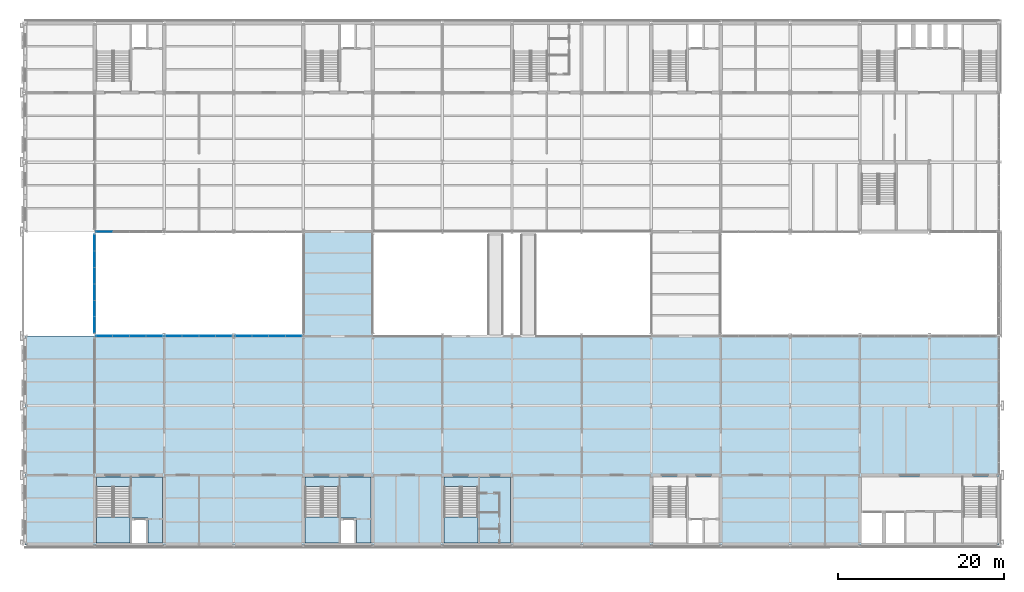
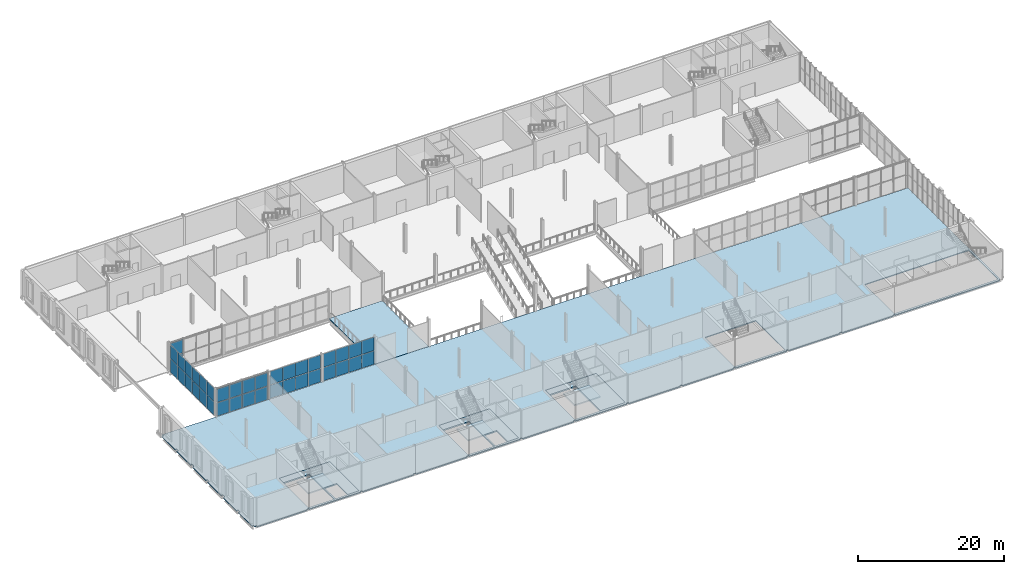
# One storey, part 31 of 61: 38 plates, 8 slabs, 8 elements without a shape of their own.
"""IFC4 building model written with IfcOpenShell, lengths in metres."""

from ifc_helpers import new_model, si_unit, direction, frame, origin, origin_2d, place, context, subcontext, project, spatial, polyline, rectangle, outline, extrude, material, layer, layer_set, type_object, element, aggregate, save


model = new_model("IFC4")

# Units and contexts
model_context = context("Model", 3, precision=1e-05, world=origin(), true_north=direction((0.0, 1.0)))
body_context = subcontext(model_context, "Body", "Model", "MODEL_VIEW")
ifc_project = project(units=[si_unit("LENGTHUNIT", "METRE"), si_unit("AREAUNIT", "SQUARE_METRE"), si_unit("VOLUMEUNIT", "CUBIC_METRE"), si_unit("PLANEANGLEUNIT", "RADIAN"), si_unit("MASSUNIT", "GRAM", prefix="KILO")], contexts=[model_context])

# Site, building, storey
site_placement = place(None, origin())
site = spatial("IfcSite", under=ifc_project, at=site_placement, CompositionType="ELEMENT")
building_placement = place(site_placement, origin())
building = spatial("IfcBuilding", under=site, at=building_placement, Name="Galleria Vessillo Department Store", CompositionType="ELEMENT")
storey_placement = place(building_placement, frame((0.0, 0.0, 11.39990234375)))
storey = spatial("IfcBuildingStorey", under=building, at=storey_placement, Name="L02", CompositionType="ELEMENT", Elevation=11.39990234375)

# Slabs
ifc_material_1 = material(Name="Concrete C32/40 composite on steel deck", Category="concrete")
ifc_layer_1 = layer(ifc_material_1, 0.14990234375)
ifc_layer_set_1 = layer_set([ifc_layer_1], Name="Concrete C32/40 composite on steel deck")
slab_type_1 = type_object("IfcSlabType", Name="Composite bridge slab 150 mm", PredefinedType="FLOOR", material=ifc_layer_set_1)
slab_1_placement = place(storey_placement, frame((0.0, 0.0, -0.14990234375)))
element("IfcSlab", 1, at=slab_1_placement, inside=storey, type_object=slab_type_1, Name="S-SLAB-L02-BRIDGE-W", PredefinedType="FLOOR", context=body_context, shape_type="SweptSolid", body=[
    extrude(outline(polyline([(42.0, 25.199951171875), (42.0, 37.800048828125), (33.60009765625, 37.800048828125), (33.60009765625, 25.199951171875), (42.0, 25.199951171875)])), origin(), (0.0, 0.0, 1.0), 0.14990234375),
])
ifc_material_2 = material(Name="Concrete C32/40 composite on steel deck", Category="concrete")
ifc_layer_2 = layer(ifc_material_2, 0.14990234375)
ifc_layer_set_2 = layer_set([ifc_layer_2], Name="Concrete C32/40 composite on steel deck")
slab_type_2 = type_object("IfcSlabType", Name="Composite floor slab 150 mm", PredefinedType="FLOOR", material=ifc_layer_set_2)
slab_2_placement = place(storey_placement, frame((0.0, 0.0, -0.14990234375)))
element("IfcSlab", 2, at=slab_2_placement, inside=storey, type_object=slab_type_2, Name="S-SLAB-L02-FLOOR-S", PredefinedType="FLOOR", context=body_context, shape_type="SweptSolid", body=[
    extrude(outline(polyline([(84.150634765625, 0.0), (83.849365234375, 0.0), (83.849365234375, -0.199462890625), (75.750732421875, -0.199462890625), (75.750732421875, 0.0), (75.449462890625, 0.0), (75.449462890625, -0.24951171875), (67.3505859375, -0.24951171875), (67.3505859375, 0.0), (67.04931640625, 0.0), (67.04931640625, -0.24951171875), (58.95068359375, -0.24951171875), (58.95068359375, 0.0), (58.6494140625, 0.0), (58.6494140625, -0.199462890625), (50.550537109375, -0.199462890625), (50.550537109375, 0.0), (50.249267578125, 0.0), (50.249267578125, -0.24951171875), (42.150634765625, -0.24951171875), (42.150634765625, 0.0), (41.849365234375, 0.0), (41.849365234375, -0.199462890625), (33.750732421875, -0.199462890625), (33.750732421875, 0.0), (33.449462890625, 0.0), (33.449462890625, -0.24951171875), (25.3505859375, -0.24951171875), (25.3505859375, 0.0), (25.04931640625, 0.0), (25.04931640625, -0.24951171875), (16.95068359375, -0.24951171875), (16.95068359375, 0.0), (16.6494140625, 0.0), (16.6494140625, -0.199462890625), (8.550537109375, -0.199462890625), (8.550537109375, 0.0), (8.249267578125, 0.0), (8.249267578125, -0.24951171875), (0.304931640625, -0.24951171875), (0.304931640625, -0.013671875), (0.3056640625, 0.0), (0.0, 0.0), (0.0, 0.3056640625), (-0.030029296875, 0.30419921875), (-0.0595703125, 0.2998046875), (-0.088623046875, 0.29248046875), (-0.116943359375, 0.2822265625), (-0.14404296875, 0.26953125), (-0.169677734375, 0.254150390625), (-0.19384765625, 0.236328125), (-0.216064453125, 0.216064453125), (-0.236328125, 0.19384765625), (-0.25, 0.17529296875), (-0.25, 4.024658203125), (-0.236328125, 4.006103515625), (-0.216064453125, 3.98388671875), (-0.19384765625, 3.963623046875), (-0.169677734375, 3.94580078125), (-0.14404296875, 3.930419921875), (-0.116943359375, 3.917724609375), (-0.088623046875, 3.907470703125), (-0.0595703125, 3.900146484375), (-0.030029296875, 3.895751953125), (0.0, 3.894287109375), (0.0, 4.505615234375), (-0.030029296875, 4.504150390625), (-0.0595703125, 4.499755859375), (-0.088623046875, 4.492431640625), (-0.116943359375, 4.482177734375), (-0.14404296875, 4.469482421875), (-0.169677734375, 4.4541015625), (-0.19384765625, 4.436279296875), (-0.216064453125, 4.416015625), (-0.236328125, 4.393798828125), (-0.25, 4.375244140625), (-0.25, 8.224609375), (-0.236328125, 8.2060546875), (-0.216064453125, 8.183837890625), (-0.19384765625, 8.16357421875), (-0.169677734375, 8.145751953125), (-0.14404296875, 8.13037109375), (-0.116943359375, 8.11767578125), (-0.088623046875, 8.107421875), (-0.0595703125, 8.10009765625), (-0.030029296875, 8.095703125), (0.0, 8.09423828125), (0.0, 8.70556640625), (-0.030029296875, 8.7041015625), (-0.0595703125, 8.69970703125), (-0.088623046875, 8.6923828125), (-0.116943359375, 8.68212890625), (-0.14404296875, 8.66943359375), (-0.169677734375, 8.654052734375), (-0.19384765625, 8.63623046875), (-0.216064453125, 8.615966796875), (-0.236328125, 8.59375), (-0.25, 8.5751953125), (-0.25, 12.4248046875), (-0.236328125, 12.40625), (-0.216064453125, 12.384033203125), (-0.19384765625, 12.36376953125), (-0.169677734375, 12.345947265625), (-0.14404296875, 12.33056640625), (-0.116943359375, 12.31787109375), (-0.088623046875, 12.3076171875), (-0.0595703125, 12.30029296875), (-0.030029296875, 12.2958984375), (0.0, 12.29443359375), (0.0, 12.90576171875), (-0.030029296875, 12.904296875), (-0.0595703125, 12.89990234375), (-0.088623046875, 12.892578125), (-0.116943359375, 12.88232421875), (-0.14404296875, 12.86962890625), (-0.169677734375, 12.854248046875), (-0.19384765625, 12.83642578125), (-0.216064453125, 12.816162109375), (-0.236328125, 12.7939453125), (-0.25, 12.775390625), (-0.25, 16.624755859375), (-0.236328125, 16.606201171875), (-0.216064453125, 16.583984375), (-0.19384765625, 16.563720703125), (-0.169677734375, 16.5458984375), (-0.14404296875, 16.530517578125), (-0.116943359375, 16.517822265625), (-0.088623046875, 16.507568359375), (-0.0595703125, 16.500244140625), (-0.030029296875, 16.495849609375), (0.0, 16.494384765625), (0.0, 17.105712890625), (-0.030029296875, 17.104248046875), (-0.0595703125, 17.099853515625), (-0.088623046875, 17.092529296875), (-0.116943359375, 17.082275390625), (-0.14404296875, 17.069580078125), (-0.169677734375, 17.05419921875), (-0.19384765625, 17.036376953125), (-0.216064453125, 17.01611328125), (-0.236328125, 16.993896484375), (-0.25, 16.975341796875), (-0.25, 20.82470703125), (-0.236328125, 20.80615234375), (-0.216064453125, 20.783935546875), (-0.19384765625, 20.763671875), (-0.169677734375, 20.745849609375), (-0.14404296875, 20.73046875), (-0.116943359375, 20.7177734375), (-0.088623046875, 20.70751953125), (-0.0595703125, 20.7001953125), (-0.030029296875, 20.69580078125), (0.0, 20.6943359375), (0.0, 21.3056640625), (-0.030029296875, 21.30419921875), (-0.0595703125, 21.2998046875), (-0.088623046875, 21.29248046875), (-0.116943359375, 21.2822265625), (-0.14404296875, 21.26953125), (-0.169677734375, 21.254150390625), (-0.19384765625, 21.236328125), (-0.216064453125, 21.216064453125), (-0.236328125, 21.19384765625), (-0.25, 21.17529296875), (-0.25, 25.024658203125), (-0.236328125, 25.006103515625), (-0.216064453125, 24.98388671875), (-0.19384765625, 24.963623046875), (-0.169677734375, 24.94580078125), (-0.14404296875, 24.930419921875), (-0.116943359375, 24.917724609375), (-0.088623046875, 24.907470703125), (-0.0595703125, 24.900146484375), (-0.030029296875, 24.895751953125), (0.0, 24.894287109375), (0.0, 25.199951171875), (117.60009765625, 25.199951171875), (117.60009765625, 8.249267578125), (117.68017578125, 8.249267578125), (117.68017578125, 0.150634765625), (117.60009765625, 0.150634765625), (117.60009765625, 0.0), (117.349609375, 0.0), (117.349609375, -0.150634765625), (117.35009765625, -0.199462890625), (100.95068359375, -0.199462890625), (100.95068359375, 0.0), (100.6494140625, 0.0), (100.6494140625, -0.24951171875), (92.550537109375, -0.24951171875), (92.550537109375, 0.0), (92.249267578125, 0.0), (92.249267578125, -0.24951171875), (84.150634765625, -0.24951171875), (84.150634765625, 0.0)]), holes=[polyline([(8.599853515625, 8.199951171875), (8.599853515625, 0.199951171875), (16.60009765625, 0.199951171875), (16.60009765625, 8.199951171875), (8.599853515625, 8.199951171875)]), polyline([(33.800048828125, 8.199951171875), (33.800048828125, 0.199951171875), (41.800048828125, 0.199951171875), (41.800048828125, 8.199951171875), (33.800048828125, 8.199951171875)]), polyline([(50.599853515625, 8.199951171875), (50.599853515625, 0.199951171875), (58.60009765625, 0.199951171875), (58.60009765625, 8.199951171875), (50.599853515625, 8.199951171875)]), polyline([(83.800048828125, 8.199951171875), (75.800048828125, 8.199951171875), (75.800048828125, 0.199951171875), (83.800048828125, 0.199951171875), (83.800048828125, 8.199951171875)]), polyline([(117.400146484375, 8.199951171875), (101.0, 8.199951171875), (101.0, 0.199951171875), (117.400146484375, 0.199951171875), (117.400146484375, 8.199951171875)])]), origin(), (0.0, 0.0, 1.0), 0.14990234375),
])

# Curtain wall, plates
ifc_material_3 = material(Name="Aluminium and glass curtain wall", Category="aluminium")
ifc_layer_3 = layer(ifc_material_3, 0.159912109375)
ifc_layer_set_3 = layer_set([ifc_layer_3], Name="Aluminium and glass curtain wall")
curtain_wall_type_1 = type_object("IfcCurtainWallType", Name="Arcade portal glazing CW2 2100 module", PredefinedType="NOTDEFINED", material=ifc_layer_set_3)
curtain_wall_1_placement = place(storey_placement, origin())
curtain_wall_1 = element("IfcCurtainWall", 3, at=curtain_wall_1_placement, inside=storey, type_object=curtain_wall_type_1, Name="Arcade portal glazing CW2 2100 module PW-W-S-L02-01", PredefinedType="NOTDEFINED")
ifc_material_4 = material(Name="Glass laminated 44.2 low-e", Category="glass")
ifc_layer_4 = layer(ifc_material_4, 0.028076171875)
ifc_layer_set_4 = layer_set([ifc_layer_4], Name="Glass laminated 44.2 low-e")
plate_type_1 = type_object("IfcPlateType", Name="Laminated glass panel 28 mm", PredefinedType="CURTAIN_PANEL", material=ifc_layer_set_4)
plate_1_placement = place(storey_placement, frame((9.576904296875, 25.199951171875, 0.06005859375), z_axis=(0.0, 0.0, 1.0), x_axis=(1.0, 0.0, 0.0)))
plate_1 = element("IfcPlate", 4, at=plate_1_placement, type_object=plate_type_1, Name="CW2 panel 1.1", PredefinedType="CURTAIN_PANEL", context=body_context, shape_type="SweptSolid", body=[
    extrude(rectangle(XDim=1.94873046875, YDim=0.028076171875, at=origin_2d()), origin(), (0.0, 0.0, 1.0), 2.235107421875),
])
plate_2_placement = place(storey_placement, frame((9.576904296875, 25.199951171875, 2.35498046875), z_axis=(0.0, 0.0, 1.0), x_axis=(1.0, 0.0, 0.0)))
plate_2 = element("IfcPlate", 5, at=plate_2_placement, type_object=plate_type_1, Name="CW2 panel 1.2", PredefinedType="CURTAIN_PANEL", context=body_context, shape_type="SweptSolid", body=[
    extrude(rectangle(XDim=1.94873046875, YDim=0.028076171875, at=origin_2d()), origin(), (0.0, 0.0, 1.0), 2.235107421875),
])
plate_3_placement = place(storey_placement, frame((11.588134765625, 25.199951171875, 0.06005859375), z_axis=(0.0, 0.0, 1.0), x_axis=(1.0, 0.0, 0.0)))
plate_3 = element("IfcPlate", 6, at=plate_3_placement, type_object=plate_type_1, Name="CW2 panel 2.1", PredefinedType="CURTAIN_PANEL", context=body_context, shape_type="SweptSolid", body=[
    extrude(rectangle(XDim=1.9736328125, YDim=0.028076171875, at=origin_2d()), origin(), (0.0, 0.0, 1.0), 2.235107421875),
])
plate_4_placement = place(storey_placement, frame((11.588134765625, 25.199951171875, 2.35498046875), z_axis=(0.0, 0.0, 1.0), x_axis=(1.0, 0.0, 0.0)))
plate_4 = element("IfcPlate", 7, at=plate_4_placement, type_object=plate_type_1, Name="CW2 panel 2.2", PredefinedType="CURTAIN_PANEL", context=body_context, shape_type="SweptSolid", body=[
    extrude(rectangle(XDim=1.9736328125, YDim=0.028076171875, at=origin_2d()), origin(), (0.0, 0.0, 1.0), 2.235107421875),
])
plate_5_placement = place(storey_placement, frame((13.61181640625, 25.199951171875, 0.06005859375), z_axis=(0.0, 0.0, 1.0), x_axis=(1.0, 0.0, 0.0)))
plate_5 = element("IfcPlate", 8, at=plate_5_placement, type_object=plate_type_1, Name="CW2 panel 3.1", PredefinedType="CURTAIN_PANEL", context=body_context, shape_type="SweptSolid", body=[
    extrude(rectangle(XDim=1.9736328125, YDim=0.028076171875, at=origin_2d()), origin(), (0.0, 0.0, 1.0), 2.235107421875),
])
plate_6_placement = place(storey_placement, frame((13.61181640625, 25.199951171875, 2.35498046875), z_axis=(0.0, 0.0, 1.0), x_axis=(1.0, 0.0, 0.0)))
plate_6 = element("IfcPlate", 9, at=plate_6_placement, type_object=plate_type_1, Name="CW2 panel 3.2", PredefinedType="CURTAIN_PANEL", context=body_context, shape_type="SweptSolid", body=[
    extrude(rectangle(XDim=1.9736328125, YDim=0.028076171875, at=origin_2d()), origin(), (0.0, 0.0, 1.0), 2.235107421875),
])
plate_7_placement = place(storey_placement, frame((15.623046875, 25.199951171875, 0.06005859375), z_axis=(0.0, 0.0, 1.0), x_axis=(1.0, 0.0, 0.0)))
plate_7 = element("IfcPlate", 10, at=plate_7_placement, type_object=plate_type_1, Name="CW2 panel 4.1", PredefinedType="CURTAIN_PANEL", context=body_context, shape_type="SweptSolid", body=[
    extrude(rectangle(XDim=1.94873046875, YDim=0.028076171875, at=origin_2d()), origin(), (0.0, 0.0, 1.0), 2.235107421875),
])
plate_8_placement = place(storey_placement, frame((15.623046875, 25.199951171875, 2.35498046875), z_axis=(0.0, 0.0, 1.0), x_axis=(1.0, 0.0, 0.0)))
plate_8 = element("IfcPlate", 11, at=plate_8_placement, type_object=plate_type_1, Name="CW2 panel 4.2", PredefinedType="CURTAIN_PANEL", context=body_context, shape_type="SweptSolid", body=[
    extrude(rectangle(XDim=1.94873046875, YDim=0.028076171875, at=origin_2d()), origin(), (0.0, 0.0, 1.0), 2.235107421875),
])
aggregate(curtain_wall_1, [plate_1, plate_2, plate_3, plate_4, plate_5, plate_6, plate_7, plate_8])

curtain_wall_2_placement = place(storey_placement, origin())
curtain_wall_2 = element("IfcCurtainWall", 12, at=curtain_wall_2_placement, inside=storey, type_object=curtain_wall_type_1, Name="Arcade portal glazing CW2 2100 module PW-W-N-L02-01", PredefinedType="NOTDEFINED")
plate_9_placement = place(storey_placement, frame((9.576904296875, 37.800048828125, 0.06005859375), z_axis=(0.0, 0.0, 1.0), x_axis=(1.0, 0.0, 0.0)))
plate_9 = element("IfcPlate", 13, at=plate_9_placement, type_object=plate_type_1, Name="CW2 panel 1.1", PredefinedType="CURTAIN_PANEL", context=body_context, shape_type="SweptSolid", body=[
    extrude(rectangle(XDim=1.94873046875, YDim=0.028076171875, at=origin_2d()), origin(), (0.0, 0.0, 1.0), 2.235107421875),
])
plate_10_placement = place(storey_placement, frame((9.576904296875, 37.800048828125, 2.35498046875), z_axis=(0.0, 0.0, 1.0), x_axis=(1.0, 0.0, 0.0)))
plate_10 = element("IfcPlate", 14, at=plate_10_placement, type_object=plate_type_1, Name="CW2 panel 1.2", PredefinedType="CURTAIN_PANEL", context=body_context, shape_type="SweptSolid", body=[
    extrude(rectangle(XDim=1.94873046875, YDim=0.028076171875, at=origin_2d()), origin(), (0.0, 0.0, 1.0), 2.235107421875),
])
aggregate(curtain_wall_2, [plate_9, plate_10])

curtain_wall_3_placement = place(storey_placement, origin())
curtain_wall_3 = element("IfcCurtainWall", 15, at=curtain_wall_3_placement, inside=storey, type_object=curtain_wall_type_1, Name="Arcade portal glazing CW2 2100 module SCR-W-L02-01", PredefinedType="NOTDEFINED")
plate_11_placement = place(storey_placement, frame((8.39990234375, 26.540771484375, 0.06005859375), z_axis=(0.0, 0.0, 1.0), x_axis=(0.0, 1.0, 0.0)))
plate_11 = element("IfcPlate", 16, at=plate_11_placement, type_object=plate_type_1, Name="CW2 panel 1.1", PredefinedType="CURTAIN_PANEL", context=body_context, shape_type="SweptSolid", body=[
    extrude(rectangle(XDim=1.91357421875, YDim=0.028076171875, at=origin_2d()), origin(), (0.0, 0.0, 1.0), 2.235107421875),
])
plate_12_placement = place(storey_placement, frame((8.39990234375, 26.540771484375, 2.35498046875), z_axis=(0.0, 0.0, 1.0), x_axis=(0.0, 1.0, 0.0)))
plate_12 = element("IfcPlate", 17, at=plate_12_placement, type_object=plate_type_1, Name="CW2 panel 1.2", PredefinedType="CURTAIN_PANEL", context=body_context, shape_type="SweptSolid", body=[
    extrude(rectangle(XDim=1.91357421875, YDim=0.028076171875, at=origin_2d()), origin(), (0.0, 0.0, 1.0), 2.235107421875),
])
plate_13_placement = place(storey_placement, frame((8.39990234375, 28.516845703125, 0.06005859375), z_axis=(0.0, 0.0, 1.0), x_axis=(0.0, 1.0, 0.0)))
plate_13 = element("IfcPlate", 18, at=plate_13_placement, type_object=plate_type_1, Name="CW2 panel 2.1", PredefinedType="CURTAIN_PANEL", context=body_context, shape_type="SweptSolid", body=[
    extrude(rectangle(XDim=1.938720703125, YDim=0.028076171875, at=origin_2d()), origin(), (0.0, 0.0, 1.0), 2.235107421875),
])
plate_14_placement = place(storey_placement, frame((8.39990234375, 28.516845703125, 2.35498046875), z_axis=(0.0, 0.0, 1.0), x_axis=(0.0, 1.0, 0.0)))
plate_14 = element("IfcPlate", 19, at=plate_14_placement, type_object=plate_type_1, Name="CW2 panel 2.2", PredefinedType="CURTAIN_PANEL", context=body_context, shape_type="SweptSolid", body=[
    extrude(rectangle(XDim=1.938720703125, YDim=0.028076171875, at=origin_2d()), origin(), (0.0, 0.0, 1.0), 2.235107421875),
])
plate_15_placement = place(storey_placement, frame((8.39990234375, 30.505615234375, 0.06005859375), z_axis=(0.0, 0.0, 1.0), x_axis=(0.0, 1.0, 0.0)))
plate_15 = element("IfcPlate", 20, at=plate_15_placement, type_object=plate_type_1, Name="CW2 panel 3.1", PredefinedType="CURTAIN_PANEL", context=body_context, shape_type="SweptSolid", body=[
    extrude(rectangle(XDim=1.938720703125, YDim=0.028076171875, at=origin_2d()), origin(), (0.0, 0.0, 1.0), 2.235107421875),
])
plate_16_placement = place(storey_placement, frame((8.39990234375, 30.505615234375, 2.35498046875), z_axis=(0.0, 0.0, 1.0), x_axis=(0.0, 1.0, 0.0)))
plate_16 = element("IfcPlate", 21, at=plate_16_placement, type_object=plate_type_1, Name="CW2 panel 3.2", PredefinedType="CURTAIN_PANEL", context=body_context, shape_type="SweptSolid", body=[
    extrude(rectangle(XDim=1.938720703125, YDim=0.028076171875, at=origin_2d()), origin(), (0.0, 0.0, 1.0), 2.235107421875),
])
plate_17_placement = place(storey_placement, frame((8.39990234375, 32.494384765625, 0.06005859375), z_axis=(0.0, 0.0, 1.0), x_axis=(0.0, 1.0, 0.0)))
plate_17 = element("IfcPlate", 22, at=plate_17_placement, type_object=plate_type_1, Name="CW2 panel 4.1", PredefinedType="CURTAIN_PANEL", context=body_context, shape_type="SweptSolid", body=[
    extrude(rectangle(XDim=1.938720703125, YDim=0.028076171875, at=origin_2d()), origin(), (0.0, 0.0, 1.0), 2.235107421875),
])
plate_18_placement = place(storey_placement, frame((8.39990234375, 32.494384765625, 2.35498046875), z_axis=(0.0, 0.0, 1.0), x_axis=(0.0, 1.0, 0.0)))
plate_18 = element("IfcPlate", 23, at=plate_18_placement, type_object=plate_type_1, Name="CW2 panel 4.2", PredefinedType="CURTAIN_PANEL", context=body_context, shape_type="SweptSolid", body=[
    extrude(rectangle(XDim=1.938720703125, YDim=0.028076171875, at=origin_2d()), origin(), (0.0, 0.0, 1.0), 2.235107421875),
])
plate_19_placement = place(storey_placement, frame((8.39990234375, 34.483154296875, 0.06005859375), z_axis=(0.0, 0.0, 1.0), x_axis=(0.0, 1.0, 0.0)))
plate_19 = element("IfcPlate", 24, at=plate_19_placement, type_object=plate_type_1, Name="CW2 panel 5.1", PredefinedType="CURTAIN_PANEL", context=body_context, shape_type="SweptSolid", body=[
    extrude(rectangle(XDim=1.938720703125, YDim=0.028076171875, at=origin_2d()), origin(), (0.0, 0.0, 1.0), 2.235107421875),
])
plate_20_placement = place(storey_placement, frame((8.39990234375, 34.483154296875, 2.35498046875), z_axis=(0.0, 0.0, 1.0), x_axis=(0.0, 1.0, 0.0)))
plate_20 = element("IfcPlate", 25, at=plate_20_placement, type_object=plate_type_1, Name="CW2 panel 5.2", PredefinedType="CURTAIN_PANEL", context=body_context, shape_type="SweptSolid", body=[
    extrude(rectangle(XDim=1.938720703125, YDim=0.028076171875, at=origin_2d()), origin(), (0.0, 0.0, 1.0), 2.235107421875),
])
plate_21_placement = place(storey_placement, frame((8.39990234375, 36.459228515625, 0.06005859375), z_axis=(0.0, 0.0, 1.0), x_axis=(0.0, 1.0, 0.0)))
plate_21 = element("IfcPlate", 26, at=plate_21_placement, type_object=plate_type_1, Name="CW2 panel 6.1", PredefinedType="CURTAIN_PANEL", context=body_context, shape_type="SweptSolid", body=[
    extrude(rectangle(XDim=1.91357421875, YDim=0.028076171875, at=origin_2d()), origin(), (0.0, 0.0, 1.0), 2.235107421875),
])
plate_22_placement = place(storey_placement, frame((8.39990234375, 36.459228515625, 2.35498046875), z_axis=(0.0, 0.0, 1.0), x_axis=(0.0, 1.0, 0.0)))
plate_22 = element("IfcPlate", 27, at=plate_22_placement, type_object=plate_type_1, Name="CW2 panel 6.2", PredefinedType="CURTAIN_PANEL", context=body_context, shape_type="SweptSolid", body=[
    extrude(rectangle(XDim=1.91357421875, YDim=0.028076171875, at=origin_2d()), origin(), (0.0, 0.0, 1.0), 2.235107421875),
])
aggregate(curtain_wall_3, [plate_11, plate_12, plate_13, plate_14, plate_15, plate_16, plate_17, plate_18, plate_19, plate_20, plate_21, plate_22])

ifc_material_5 = material(Name="Aluminium and glass curtain wall", Category="aluminium")
ifc_layer_5 = layer(ifc_material_5, 0.199951171875)
ifc_layer_set_5 = layer_set([ifc_layer_5], Name="Aluminium and glass curtain wall")
curtain_wall_type_2 = type_object("IfcCurtainWallType", Name="Arcade curtain wall CW1 2100 module", PredefinedType="NOTDEFINED", material=ifc_layer_set_5)
curtain_wall_4_placement = place(storey_placement, origin())
curtain_wall_4 = element("IfcCurtainWall", 28, at=curtain_wall_4_placement, inside=storey, type_object=curtain_wall_type_2, Name="Arcade curtain wall CW1 2100 module AI-AW-S-L02-01", PredefinedType="NOTDEFINED")
ifc_material_6 = material(Name="Glass laminated 44.2 low-e", Category="glass")
ifc_layer_6 = layer(ifc_material_6, 0.031982421875)
ifc_layer_set_6 = layer_set([ifc_layer_6], Name="Glass laminated 44.2 low-e")
plate_type_2 = type_object("IfcPlateType", Name="Laminated glass panel 32 mm", PredefinedType="CURTAIN_PANEL", material=ifc_layer_set_6)
plate_23_placement = place(storey_placement, frame((17.9794921875, 25.199951171875, 0.06982421875), z_axis=(0.0, 0.0, 1.0), x_axis=(1.0, 0.0, 0.0)))
plate_23 = element("IfcPlate", 29, at=plate_23_placement, type_object=plate_type_2, Name="CW1 panel 1.1", PredefinedType="CURTAIN_PANEL", context=body_context, shape_type="SweptSolid", body=[
    extrude(rectangle(XDim=1.93359375, YDim=0.031982421875, at=origin_2d()), origin(), (0.0, 0.0, 1.0), 2.22021484375),
])
plate_24_placement = place(storey_placement, frame((17.9794921875, 25.199951171875, 2.3603515625), z_axis=(0.0, 0.0, 1.0), x_axis=(1.0, 0.0, 0.0)))
plate_24 = element("IfcPlate", 30, at=plate_24_placement, type_object=plate_type_2, Name="CW1 panel 1.2", PredefinedType="CURTAIN_PANEL", context=body_context, shape_type="SweptSolid", body=[
    extrude(rectangle(XDim=1.93359375, YDim=0.031982421875, at=origin_2d()), origin(), (0.0, 0.0, 1.0), 2.219970703125),
])
plate_25_placement = place(storey_placement, frame((19.988037109375, 25.199951171875, 0.06982421875), z_axis=(0.0, 0.0, 1.0), x_axis=(1.0, 0.0, 0.0)))
plate_25 = element("IfcPlate", 31, at=plate_25_placement, type_object=plate_type_2, Name="CW1 panel 2.1", PredefinedType="CURTAIN_PANEL", context=body_context, shape_type="SweptSolid", body=[
    extrude(rectangle(XDim=1.963623046875, YDim=0.031982421875, at=origin_2d()), origin(), (0.0, 0.0, 1.0), 2.22021484375),
])
plate_26_placement = place(storey_placement, frame((19.988037109375, 25.199951171875, 2.3603515625), z_axis=(0.0, 0.0, 1.0), x_axis=(1.0, 0.0, 0.0)))
plate_26 = element("IfcPlate", 32, at=plate_26_placement, type_object=plate_type_2, Name="CW1 panel 2.2", PredefinedType="CURTAIN_PANEL", context=body_context, shape_type="SweptSolid", body=[
    extrude(rectangle(XDim=1.963623046875, YDim=0.031982421875, at=origin_2d()), origin(), (0.0, 0.0, 1.0), 2.219970703125),
])
plate_27_placement = place(storey_placement, frame((22.011474609375, 25.199951171875, 0.06982421875), z_axis=(0.0, 0.0, 1.0), x_axis=(1.0, 0.0, 0.0)))
plate_27 = element("IfcPlate", 33, at=plate_27_placement, type_object=plate_type_2, Name="CW1 panel 3.1", PredefinedType="CURTAIN_PANEL", context=body_context, shape_type="SweptSolid", body=[
    extrude(rectangle(XDim=1.963623046875, YDim=0.031982421875, at=origin_2d()), origin(), (0.0, 0.0, 1.0), 2.22021484375),
])
plate_28_placement = place(storey_placement, frame((22.011474609375, 25.199951171875, 2.3603515625), z_axis=(0.0, 0.0, 1.0), x_axis=(1.0, 0.0, 0.0)))
plate_28 = element("IfcPlate", 34, at=plate_28_placement, type_object=plate_type_2, Name="CW1 panel 3.2", PredefinedType="CURTAIN_PANEL", context=body_context, shape_type="SweptSolid", body=[
    extrude(rectangle(XDim=1.963623046875, YDim=0.031982421875, at=origin_2d()), origin(), (0.0, 0.0, 1.0), 2.219970703125),
])
plate_29_placement = place(storey_placement, frame((24.02001953125, 25.199951171875, 0.06982421875), z_axis=(0.0, 0.0, 1.0), x_axis=(1.0, 0.0, 0.0)))
plate_29 = element("IfcPlate", 35, at=plate_29_placement, type_object=plate_type_2, Name="CW1 panel 4.1", PredefinedType="CURTAIN_PANEL", context=body_context, shape_type="SweptSolid", body=[
    extrude(rectangle(XDim=1.93359375, YDim=0.031982421875, at=origin_2d()), origin(), (0.0, 0.0, 1.0), 2.22021484375),
])
plate_30_placement = place(storey_placement, frame((24.02001953125, 25.199951171875, 2.3603515625), z_axis=(0.0, 0.0, 1.0), x_axis=(1.0, 0.0, 0.0)))
plate_30 = element("IfcPlate", 36, at=plate_30_placement, type_object=plate_type_2, Name="CW1 panel 4.2", PredefinedType="CURTAIN_PANEL", context=body_context, shape_type="SweptSolid", body=[
    extrude(rectangle(XDim=1.93359375, YDim=0.031982421875, at=origin_2d()), origin(), (0.0, 0.0, 1.0), 2.219970703125),
])
aggregate(curtain_wall_4, [plate_23, plate_24, plate_25, plate_26, plate_27, plate_28, plate_29, plate_30])

curtain_wall_5_placement = place(storey_placement, origin())
curtain_wall_5 = element("IfcCurtainWall", 37, at=curtain_wall_5_placement, inside=storey, type_object=curtain_wall_type_2, Name="Arcade curtain wall CW1 2100 module AI-AW-S-L02-02", PredefinedType="NOTDEFINED")
plate_31_placement = place(storey_placement, frame((26.3798828125, 25.199951171875, 0.06982421875), z_axis=(0.0, 0.0, 1.0), x_axis=(1.0, 0.0, 0.0)))
plate_31 = element("IfcPlate", 38, at=plate_31_placement, type_object=plate_type_2, Name="CW1 panel 1.1", PredefinedType="CURTAIN_PANEL", context=body_context, shape_type="SweptSolid", body=[
    extrude(rectangle(XDim=1.93359375, YDim=0.031982421875, at=origin_2d()), origin(), (0.0, 0.0, 1.0), 2.22021484375),
])
plate_32_placement = place(storey_placement, frame((26.3798828125, 25.199951171875, 2.3603515625), z_axis=(0.0, 0.0, 1.0), x_axis=(1.0, 0.0, 0.0)))
plate_32 = element("IfcPlate", 39, at=plate_32_placement, type_object=plate_type_2, Name="CW1 panel 1.2", PredefinedType="CURTAIN_PANEL", context=body_context, shape_type="SweptSolid", body=[
    extrude(rectangle(XDim=1.93359375, YDim=0.031982421875, at=origin_2d()), origin(), (0.0, 0.0, 1.0), 2.219970703125),
])
plate_33_placement = place(storey_placement, frame((28.388427734375, 25.199951171875, 0.06982421875), z_axis=(0.0, 0.0, 1.0), x_axis=(1.0, 0.0, 0.0)))
plate_33 = element("IfcPlate", 40, at=plate_33_placement, type_object=plate_type_2, Name="CW1 panel 2.1", PredefinedType="CURTAIN_PANEL", context=body_context, shape_type="SweptSolid", body=[
    extrude(rectangle(XDim=1.963623046875, YDim=0.031982421875, at=origin_2d()), origin(), (0.0, 0.0, 1.0), 2.22021484375),
])
plate_34_placement = place(storey_placement, frame((28.388427734375, 25.199951171875, 2.3603515625), z_axis=(0.0, 0.0, 1.0), x_axis=(1.0, 0.0, 0.0)))
plate_34 = element("IfcPlate", 41, at=plate_34_placement, type_object=plate_type_2, Name="CW1 panel 2.2", PredefinedType="CURTAIN_PANEL", context=body_context, shape_type="SweptSolid", body=[
    extrude(rectangle(XDim=1.963623046875, YDim=0.031982421875, at=origin_2d()), origin(), (0.0, 0.0, 1.0), 2.219970703125),
])
plate_35_placement = place(storey_placement, frame((30.412109375, 25.199951171875, 0.06982421875), z_axis=(0.0, 0.0, 1.0), x_axis=(1.0, 0.0, 0.0)))
plate_35 = element("IfcPlate", 42, at=plate_35_placement, type_object=plate_type_2, Name="CW1 panel 3.1", PredefinedType="CURTAIN_PANEL", context=body_context, shape_type="SweptSolid", body=[
    extrude(rectangle(XDim=1.963623046875, YDim=0.031982421875, at=origin_2d()), origin(), (0.0, 0.0, 1.0), 2.22021484375),
])
plate_36_placement = place(storey_placement, frame((30.412109375, 25.199951171875, 2.3603515625), z_axis=(0.0, 0.0, 1.0), x_axis=(1.0, 0.0, 0.0)))
plate_36 = element("IfcPlate", 43, at=plate_36_placement, type_object=plate_type_2, Name="CW1 panel 3.2", PredefinedType="CURTAIN_PANEL", context=body_context, shape_type="SweptSolid", body=[
    extrude(rectangle(XDim=1.963623046875, YDim=0.031982421875, at=origin_2d()), origin(), (0.0, 0.0, 1.0), 2.219970703125),
])
plate_37_placement = place(storey_placement, frame((32.420654296875, 25.199951171875, 0.06982421875), z_axis=(0.0, 0.0, 1.0), x_axis=(1.0, 0.0, 0.0)))
plate_37 = element("IfcPlate", 44, at=plate_37_placement, type_object=plate_type_2, Name="CW1 panel 4.1", PredefinedType="CURTAIN_PANEL", context=body_context, shape_type="SweptSolid", body=[
    extrude(rectangle(XDim=1.93359375, YDim=0.031982421875, at=origin_2d()), origin(), (0.0, 0.0, 1.0), 2.22021484375),
])
plate_38_placement = place(storey_placement, frame((32.420654296875, 25.199951171875, 2.3603515625), z_axis=(0.0, 0.0, 1.0), x_axis=(1.0, 0.0, 0.0)))
plate_38 = element("IfcPlate", 45, at=plate_38_placement, type_object=plate_type_2, Name="CW1 panel 4.2", PredefinedType="CURTAIN_PANEL", context=body_context, shape_type="SweptSolid", body=[
    extrude(rectangle(XDim=1.93359375, YDim=0.031982421875, at=origin_2d()), origin(), (0.0, 0.0, 1.0), 2.219970703125),
])
aggregate(curtain_wall_5, [plate_31, plate_32, plate_33, plate_34, plate_35, plate_36, plate_37, plate_38])

# Slabs
ifc_material_7 = material(Name="Concrete C32/40 reinforced", Category="concrete")
ifc_layer_7 = layer(ifc_material_7, 0.219970703125)
ifc_layer_set_7 = layer_set([ifc_layer_7], Name="Concrete C32/40 reinforced")
slab_type_3 = type_object("IfcSlabType", Name="Reinforced concrete core floor slab 220 mm", PredefinedType="FLOOR", material=ifc_layer_set_7)
slab_3_placement = place(storey_placement, frame((0.0, 0.0, -0.219970703125)))
element("IfcSlab", 46, at=slab_3_placement, inside=storey, type_object=slab_type_3, Name="S-SLAB-L02-CORE-PC-SW", PredefinedType="FLOOR", context=body_context, shape_type="SweptSolid", body=[
    extrude(outline(polyline([(8.599853515625, 8.199951171875), (16.60009765625, 8.199951171875), (16.60009765625, 0.199951171875), (14.85009765625, 0.199951171875), (14.85009765625, 3.199951171875), (12.89990234375, 3.199951171875), (12.89990234375, 0.199951171875), (12.699951171875, 0.199951171875), (12.699951171875, 7.0), (8.60009765625, 7.0), (8.60009765625, 0.199951171875), (8.599853515625, 8.199951171875)])), origin(), (0.0, 0.0, 1.0), 0.219970703125),
])
slab_4_placement = place(storey_placement, frame((0.0, 0.0, -0.219970703125)))
element("IfcSlab", 47, at=slab_4_placement, inside=storey, type_object=slab_type_3, Name="S-SLAB-L02-CORE-PC-SM", PredefinedType="FLOOR", context=body_context, shape_type="SweptSolid", body=[
    extrude(outline(polyline([(33.800048828125, 8.199951171875), (41.800048828125, 8.199951171875), (41.800048828125, 0.199951171875), (40.050048828125, 0.199951171875), (40.050048828125, 3.199951171875), (38.10009765625, 3.199951171875), (38.10009765625, 0.199951171875), (37.89990234375, 0.199951171875), (37.89990234375, 7.0), (33.800048828125, 7.0), (33.800048828125, 8.199951171875)])), origin(), (0.0, 0.0, 1.0), 0.219970703125),
])
slab_5_placement = place(storey_placement, frame((0.0, 0.0, -0.219970703125)))
element("IfcSlab", 48, at=slab_5_placement, inside=storey, type_object=slab_type_3, Name="S-SLAB-L02-CORE-PC-SC", PredefinedType="FLOOR", context=body_context, shape_type="SweptSolid", body=[
    extrude(outline(polyline([(50.599853515625, 8.199951171875), (58.60009765625, 8.199951171875), (58.60009765625, 0.199951171875), (54.699951171875, 0.199951171875), (54.699951171875, 7.0), (50.60009765625, 7.0), (50.60009765625, 0.199951171875), (50.599853515625, 8.199951171875)])), origin(), (0.0, 0.0, 1.0), 0.219970703125),
])

# Stair, slab
ifc_material_8 = material(Name="Concrete C32/40", Category="concrete")
stair_type = type_object("IfcStairType", Name="Half-turn escape stair 2000 mm, 28 risers of 171 mm", PredefinedType="HALF_TURN_STAIR", material=ifc_material_8)
stair_1_placement = place(storey_placement, origin())
stair_1 = element("IfcStair", 49, at=stair_1_placement, inside=storey, type_object=stair_type, Name="Stair ST1 L02", PredefinedType="HALF_TURN_STAIR")
ifc_material_9 = material(Name="Concrete C32/40", Category="concrete")
ifc_layer_8 = layer(ifc_material_9, 0.199951171875)
ifc_layer_set_8 = layer_set([ifc_layer_8], Name="Concrete C32/40")
slab_type_4 = type_object("IfcSlabType", Name="Stair half landing 4100 x 3160 mm", PredefinedType="LANDING", material=ifc_layer_set_8)
slab_6_placement = place(storey_placement, frame((0.0, 0.0, 2.2001953125)))
slab_6 = element("IfcSlab", 50, at=slab_6_placement, type_object=slab_type_4, Name="ST1 landing 1", PredefinedType="LANDING", context=body_context, shape_type="SweptSolid", body=[
    extrude(outline(polyline([(8.599853515625, 0.199951171875), (8.599853515625, 3.360107421875), (12.699951171875, 3.360107421875), (12.699951171875, 0.199951171875), (8.599853515625, 0.199951171875)])), origin(), (0.0, 0.0, 1.0), 0.199951171875),
])
aggregate(stair_1, [slab_6])

stair_2_placement = place(storey_placement, origin())
stair_2 = element("IfcStair", 51, at=stair_2_placement, inside=storey, type_object=stair_type, Name="Stair ST3 L02", PredefinedType="HALF_TURN_STAIR")
slab_7_placement = place(storey_placement, frame((0.0, 0.0, 2.2001953125)))
slab_7 = element("IfcSlab", 52, at=slab_7_placement, type_object=slab_type_4, Name="ST3 landing 1", PredefinedType="LANDING", context=body_context, shape_type="SweptSolid", body=[
    extrude(outline(polyline([(33.800048828125, 0.199951171875), (33.800048828125, 3.360107421875), (37.900146484375, 3.360107421875), (37.900146484375, 0.199951171875), (33.800048828125, 0.199951171875)])), origin(), (0.0, 0.0, 1.0), 0.199951171875),
])
aggregate(stair_2, [slab_7])

stair_3_placement = place(storey_placement, origin())
stair_3 = element("IfcStair", 53, at=stair_3_placement, inside=storey, type_object=stair_type, Name="Stair ST10 L02", PredefinedType="HALF_TURN_STAIR")
slab_8_placement = place(storey_placement, frame((0.0, 0.0, 2.2001953125)))
slab_8 = element("IfcSlab", 54, at=slab_8_placement, type_object=slab_type_4, Name="ST10 landing 1", PredefinedType="LANDING", context=body_context, shape_type="SweptSolid", body=[
    extrude(outline(polyline([(50.599853515625, 0.199951171875), (50.599853515625, 3.360107421875), (54.699951171875, 3.360107421875), (54.699951171875, 0.199951171875), (50.599853515625, 0.199951171875)])), origin(), (0.0, 0.0, 1.0), 0.199951171875),
])
aggregate(stair_3, [slab_8])

save(model, "model.ifc")
